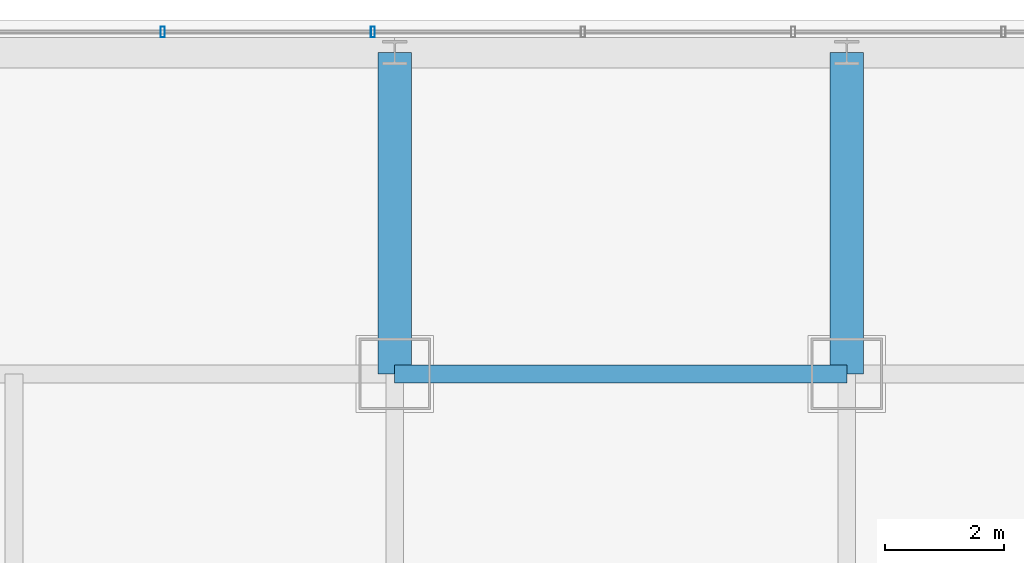
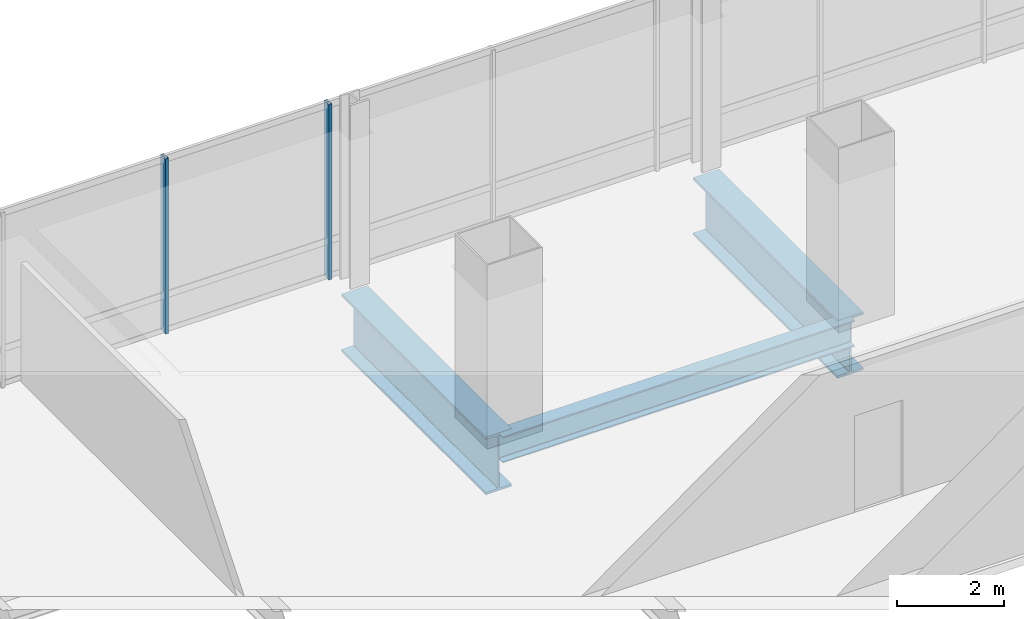
# One storey, part 25 of 42: 3 beams, 2 members, 1 element without a shape of its own.
"""IFC4 building model written with IfcOpenShell, lengths in metres."""

from ifc_helpers import new_model, si_unit, direction, frame, origin, origin_2d, place, context, subcontext, project, spatial, hollow_rectangle, i_section, extrude, material, material_profile, profile_set, type_object, element, aggregate, save


model = new_model("IFC4")

# Units and contexts
model_context = context("Model", 3, precision=1e-05, world=origin(), true_north=direction((0.0, 1.0)))
body_context = subcontext(model_context, "Body", "Model", "MODEL_VIEW")
ifc_project = project(units=[si_unit("LENGTHUNIT", "METRE"), si_unit("AREAUNIT", "SQUARE_METRE"), si_unit("VOLUMEUNIT", "CUBIC_METRE"), si_unit("PLANEANGLEUNIT", "RADIAN"), si_unit("MASSUNIT", "GRAM", prefix="KILO")], contexts=[model_context])

# Site, building, storey
site_placement = place(None, origin())
site = spatial("IfcSite", under=ifc_project, at=site_placement, CompositionType="ELEMENT")
building_placement = place(site_placement, origin())
building = spatial("IfcBuilding", under=site, at=building_placement, Name="Punatoya Terracotta Tower", CompositionType="ELEMENT")
storey_placement = place(building_placement, frame((0.0, 0.0, 296.39990234375)))
storey = spatial("IfcBuildingStorey", under=building, at=storey_placement, Name="L70", CompositionType="ELEMENT", Elevation=296.39990234375)

# Beams
ifc_material_1 = material(Name="Steel S355", Category="steel")
ifc_material_profile_1 = material_profile(ifc_material_1, i_section(OverallWidth=0.300048828125, OverallDepth=0.60009765625, WebThickness=0.015380859375, FlangeThickness=0.030029296875, FilletRadius=0.01806640625, at=origin_2d()))
ifc_profile_set_1 = profile_set([ifc_material_profile_1], Name="Steel S355")
beam_type_1 = type_object("IfcBeamType", Name="BM-PRI-600", PredefinedType="BEAM", material=ifc_profile_set_1)
beam_placement = place(storey_placement, frame((-3.800048828125, 17.5, -0.5), z_axis=(1.0, 0.0, 0.0), x_axis=(0.0, 1.0, 0.0)))
element("IfcBeam", 1, at=beam_placement, inside=storey, type_object=beam_type_1, Name="BM-L70-RG-N2", PredefinedType="BEAM", context=body_context, shape_type="SweptSolid", body=[
    extrude(i_section(OverallWidth=0.300048828125, OverallDepth=0.60009765625, WebThickness=0.015380859375, FlangeThickness=0.030029296875, FilletRadius=0.01806640625, at=origin_2d()), origin(), (0.0, 0.0, 1.0), 7.60009765625),
])
ifc_material_2 = material(Name="Steel S460", Category="steel")
ifc_material_profile_2 = material_profile(ifc_material_2, i_section(OverallWidth=0.56005859375, OverallDepth=1.320068359375, WebThickness=0.035888671875, FlangeThickness=0.054931640625, FilletRadius=0.01806640625, at=origin_2d()))
ifc_profile_set_2 = profile_set([ifc_material_profile_2], Name="Steel S460")
beam_type_2 = type_object("IfcBeamType", Name="BM-TG-BLK", PredefinedType="BEAM", material=ifc_profile_set_2)
for number, where, z_axis, x_axis, name in (
    (2, (-3.800048828125, 17.5, -0.85986328125), (0.0, 1.0, 0.0), (-1.0, 0.0, 0.0), "BM-L70-CANT-N2"),
    (3, (3.800048828125, 17.5, -0.85986328125), (0.0, 1.0, 0.0), (-1.0, 0.0, 0.0), "BM-L70-CANT-N3"),
):
    element("IfcBeam", number, at=place(storey_placement, frame(where, z_axis=z_axis, x_axis=x_axis)), inside=storey, type_object=beam_type_2, Name=name, PredefinedType="BEAM", context=body_context, shape_type="SweptSolid", body=[
        extrude(i_section(OverallWidth=0.56005859375, OverallDepth=1.320068359375, WebThickness=0.035888671875, FlangeThickness=0.054931640625, FilletRadius=0.01806640625, at=origin_2d()), origin(), (0.0, 0.0, 1.0), 5.39990234375),
    ])

# Curtain wall, members
ifc_material_3 = material(Name="Aluminium 6063-T6 + Double Low-E Glass", Category="aluminium")
curtain_wall_type = type_object("IfcCurtainWallType", Name="CW-M3", PredefinedType="NOTDEFINED", material=ifc_material_3)
curtain_wall_placement = place(storey_placement, origin())
curtain_wall = element("IfcCurtainWall", 4, at=curtain_wall_placement, inside=storey, type_object=curtain_wall_type, Name="L70 Curtain Wall CW-L70-N09-1", PredefinedType="NOTDEFINED")
ifc_material_4 = material(Name="Aluminium 6063-T6", Category="aluminium")
ifc_material_profile_3 = material_profile(ifc_material_4, hollow_rectangle(XDim=0.070068359375, YDim=0.179931640625, WallThickness=0.00390625, at=origin_2d()))
ifc_profile_set_3 = profile_set([ifc_material_profile_3], Name="Aluminium 6063-T6")
member_type = type_object("IfcMemberType", Name="CW-MUL-M3", PredefinedType="MULLION", material=ifc_profile_set_3)
member_1_placement = place(storey_placement, frame((-4.1669921875, 23.25, 0.0), z_axis=(0.0, 0.0, 1.0), x_axis=(1.0, 0.0, 0.0)))
member_1 = element("IfcMember", 5, at=member_1_placement, type_object=member_type, Name="CW-L70-N09-1 Mullion 06", PredefinedType="MULLION", context=body_context, shape_type="SweptSolid", body=[
    extrude(hollow_rectangle(XDim=0.070068359375, YDim=0.179931640625, WallThickness=0.00390625, at=origin_2d()), origin(), (0.0, 0.0, 1.0), 4.0),
])
member_2_placement = place(storey_placement, frame((-7.700927734375, 23.25, 0.0), z_axis=(0.0, 0.0, 1.0), x_axis=(1.0, 0.0, 0.0)))
member_2 = element("IfcMember", 6, at=member_2_placement, type_object=member_type, Name="CW-L70-N09-1 Mullion 07", PredefinedType="MULLION", context=body_context, shape_type="SweptSolid", body=[
    extrude(hollow_rectangle(XDim=0.070068359375, YDim=0.179931640625, WallThickness=0.00390625, at=origin_2d()), origin(), (0.0, 0.0, 1.0), 4.0),
])
aggregate(curtain_wall, [member_1, member_2])

save(model, "model.ifc")
